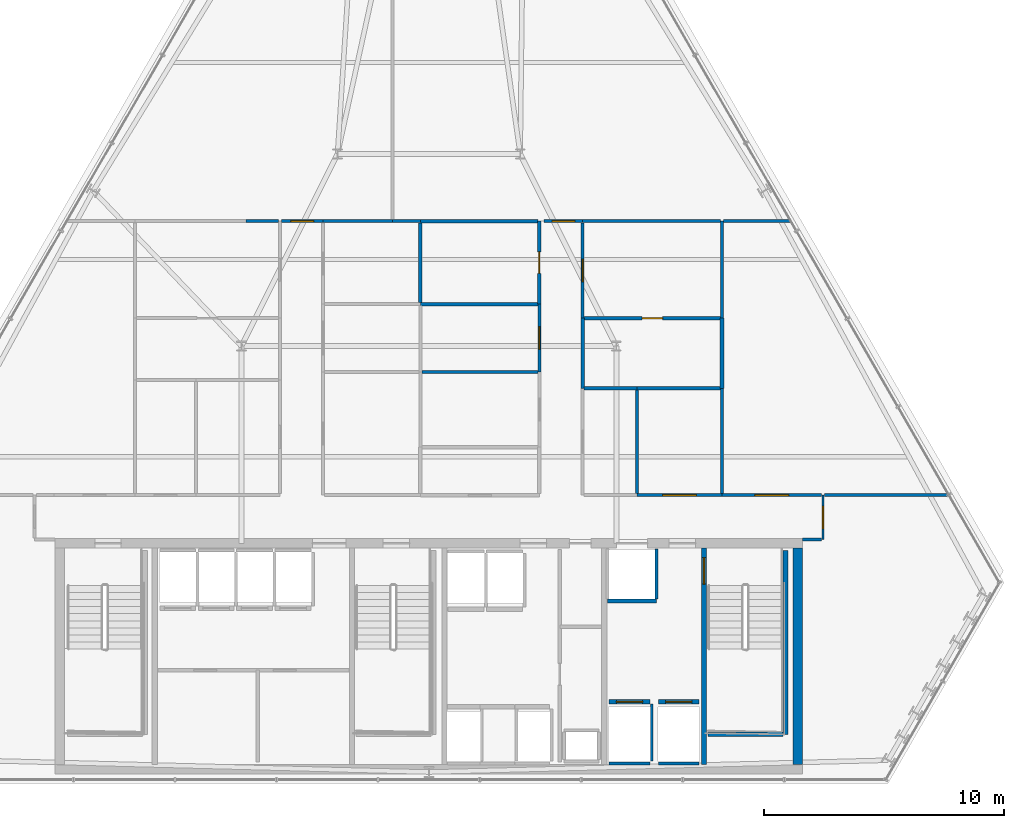
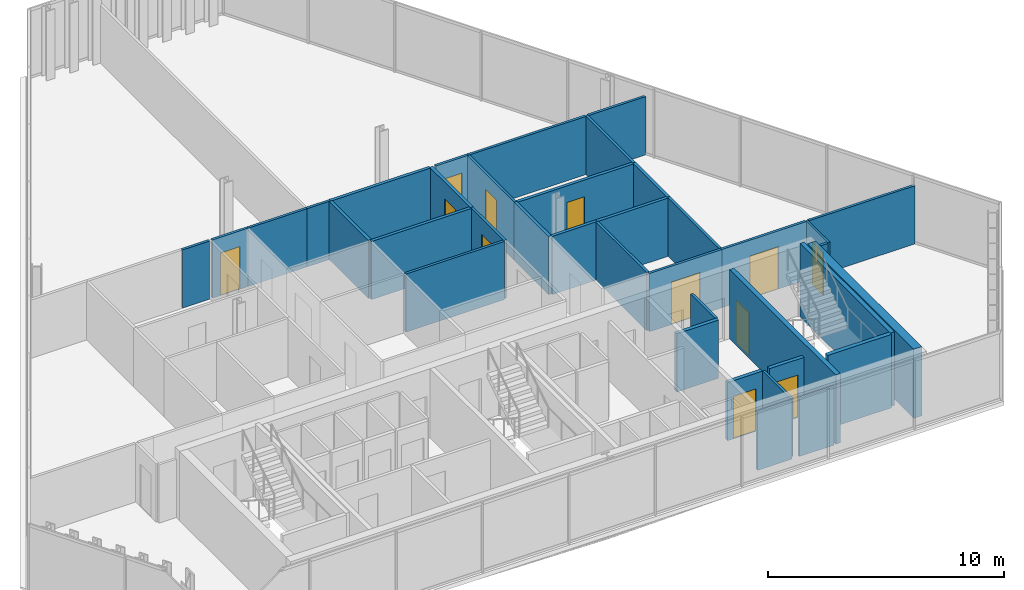
# One storey, part 29 of 33: 38 walls, 12 doors, 12 openings.
"""IFC4 building model written with IfcOpenShell, lengths in metres."""

from ifc_helpers import new_model, si_unit, direction, frame, frame_2d, origin, place, context, subcontext, project, spatial, rectangle, extrude, material, layer, layer_set, type_object, element, fill, save


model = new_model("IFC4")

# Units and contexts
model_context = context("Model", 3, precision=1e-05, world=origin(), true_north=direction((0.0, 1.0)))
body_context = subcontext(model_context, "Body", "Model", "MODEL_VIEW")
ifc_project = project(units=[si_unit("LENGTHUNIT", "METRE"), si_unit("AREAUNIT", "SQUARE_METRE"), si_unit("VOLUMEUNIT", "CUBIC_METRE"), si_unit("PLANEANGLEUNIT", "RADIAN"), si_unit("MASSUNIT", "GRAM", prefix="KILO")], contexts=[model_context])

# Site, building, storey
site_placement = place(None, origin())
site = spatial("IfcSite", under=ifc_project, at=site_placement, CompositionType="ELEMENT")
building_placement = place(site_placement, origin())
building = spatial("IfcBuilding", under=site, at=building_placement, Name="Ndaravel Arena Tower", CompositionType="ELEMENT")
storey_placement = place(building_placement, frame((0.0, 0.0, 184.0)))
storey = spatial("IfcBuildingStorey", under=building, at=storey_placement, Name="L44", CompositionType="ELEMENT", Elevation=184.0)

# Wall, opening, door
ifc_material_1 = material(Name="Concrete C50/60", Category="concrete")
ifc_layer_1 = layer(ifc_material_1, 0.219970703125)
ifc_layer_set_1 = layer_set([ifc_layer_1], Name="Concrete C50/60")
wall_type_1 = type_object("IfcWallType", Name="WALL-CORE-220", PredefinedType="SOLIDWALL", material=ifc_layer_set_1)
wall_1_placement = place(storey_placement, frame((53.449951171875, 5.800048828125, 0.0), z_axis=(0.0, 0.0, 1.0), x_axis=(0.0, 1.0, 0.0)))
wall_1 = element("IfcWall", 1, at=wall_1_placement, inside=storey, type_object=wall_type_1, Name="L44 Core Web Shear Wall 5", PredefinedType="SOLIDWALL", context=body_context, shape_type="SweptSolid", body=[
    extrude(rectangle(XDim=9.0, YDim=0.219970703125, at=frame_2d((4.5, 0.0))), origin(), (0.0, 0.0, 1.0), 3.580078125),
])
opening_1_placement = place(wall_1_placement, frame((7.5, 0.0, 0.0)))
opening_1 = element("IfcOpeningElement", 2, at=opening_1_placement, cuts=wall_1, Name="Opening FD-01", PredefinedType="OPENING", context=body_context, shape_type="SweptSolid", body=[
    extrude(rectangle(XDim=1.10009765625, YDim=2.199951171875, at=frame_2d((0.550048828125, 1.10009765625))), frame((0.0, 0.10986328125, 0.0), z_axis=(0.0, -1.0, 0.0), x_axis=(1.0, 0.0, 0.0)), (0.0, 0.0, 1.0), 0.219970703125),
])
ifc_material_2 = material(Name="Steel S355", Category="steel")
door_type_1 = type_object("IfcDoorType", Name="DT-01-STAIR-1100", OperationType="SINGLE_SWING_LEFT", PredefinedType="DOOR", material=ifc_material_2)
door_1_placement = place(opening_1_placement, origin())
door_1 = element("IfcDoor", 3, at=door_1_placement, inside=storey, type_object=door_type_1, Name="L44 Firefighting Lobby to ST-3 Door", OperationType="SINGLE_SWING_LEFT", OverallHeight=2.199951171875, OverallWidth=1.10009765625, PredefinedType="DOOR", context=body_context, shape_type="SweptSolid", body=[
    extrude(rectangle(XDim=1.10009765625, YDim=2.199951171875, at=frame_2d((0.550048828125, 1.10009765625))), frame((0.0, 0.02490234375, 0.0), z_axis=(0.0, -1.0, 0.0), x_axis=(1.0, 0.0, 0.0)), (0.0, 0.0, 1.0), 0.050048828125),
])
fill(opening_1, door_1)

# Wall
ifc_material_3 = material(Name="Concrete C50/60", Category="concrete")
ifc_layer_2 = layer(ifc_material_3, 0.39990234375)
ifc_layer_set_2 = layer_set([ifc_layer_2], Name="Concrete C50/60")
wall_type_2 = type_object("IfcWallType", Name="WALL-CORE-400", PredefinedType="SOLIDWALL", material=ifc_layer_set_2)
wall_2_placement = place(storey_placement, frame((57.35009765625, 5.800048828125, 0.0), z_axis=(0.0, 0.0, 1.0), x_axis=(0.0, 1.0, 0.0)))
element("IfcWall", 4, at=wall_2_placement, inside=storey, type_object=wall_type_2, Name="L44 Core East Shear Wall", PredefinedType="SOLIDWALL", context=body_context, shape_type="SweptSolid", body=[
    extrude(rectangle(XDim=9.0, YDim=0.39990234375, at=frame_2d((4.5, 0.0))), origin(), (0.0, 0.0, 1.0), 3.580078125),
])

# Wall, opening, door
ifc_material_4 = material(Name="Timber", Category="wood")
ifc_layer_3 = layer(ifc_material_4, 0.10009765625)
ifc_layer_set_3 = layer_set([ifc_layer_3], Name="Timber")
wall_type_3 = type_object("IfcWallType", Name="WALL-MOVABLE-100", PredefinedType="MOVABLE", material=ifc_layer_set_3)
wall_3_placement = place(storey_placement, frame((58.39990234375, 17.0, 0.0), z_axis=(0.0, 0.0, 1.0), x_axis=(0.0, -1.0, 0.0)))
wall_3 = element("IfcWall", 5, at=wall_3_placement, inside=storey, type_object=wall_type_3, Name="L44 Interior Partition 001", PredefinedType="MOVABLE", context=body_context, shape_type="SweptSolid", body=[
    extrude(rectangle(XDim=1.85009765625, YDim=0.10009765625, at=frame_2d((0.925048828125, 0.0))), origin(), (0.0, 0.0, 1.0), 3.010498046875),
])
opening_2_placement = place(wall_3_placement, frame((0.449951171875, 0.0, 0.0)))
opening_2 = element("IfcOpeningElement", 6, at=opening_2_placement, cuts=wall_3, Name="Opening ID-01", PredefinedType="OPENING", context=body_context, shape_type="SweptSolid", body=[
    extrude(rectangle(XDim=0.949951171875, YDim=2.199951171875, at=frame_2d((0.47509765625, 1.10009765625))), frame((0.0, 0.050048828125, 0.0), z_axis=(0.0, -1.0, 0.0), x_axis=(1.0, 0.0, 0.0)), (0.0, 0.0, 1.0), 0.10009765625),
])
ifc_material_5 = material(Name="Timber", Category="wood")
door_type_2 = type_object("IfcDoorType", Name="DT-03-OFFICE-950", OperationType="SINGLE_SWING_LEFT", PredefinedType="DOOR", material=ifc_material_5)
door_2_placement = place(opening_2_placement, origin())
door_2 = element("IfcDoor", 7, at=door_2_placement, inside=storey, type_object=door_type_2, Name="L44 Floor Security Control Room Door", OperationType="SINGLE_SWING_RIGHT", OverallHeight=2.199951171875, OverallWidth=0.949951171875, PredefinedType="DOOR", context=body_context, shape_type="SweptSolid", body=[
    extrude(rectangle(XDim=0.949951171875, YDim=2.199951171875, at=frame_2d((0.47509765625, 1.10009765625))), frame((0.0, 0.02490234375, 0.0), z_axis=(0.0, -1.0, 0.0), x_axis=(1.0, 0.0, 0.0)), (0.0, 0.0, 1.0), 0.050048828125),
])
fill(opening_2, door_2)

# Wall
ifc_material_6 = material(Name="Gypsum", Category="gypsum")
ifc_layer_4 = layer(ifc_material_6, 0.125)
ifc_layer_set_4 = layer_set([ifc_layer_4], Name="Gypsum")
wall_type_4 = type_object("IfcWallType", Name="WALL-PART-125", PredefinedType="PARTITIONING", material=ifc_layer_set_4)
wall_4_placement = place(storey_placement, frame((58.3349609375, 15.14990234375, 0.0), z_axis=(0.0, 0.0, 1.0), x_axis=(-1.0, 0.0, 0.0)))
element("IfcWall", 8, at=wall_4_placement, inside=storey, type_object=wall_type_4, Name="L44 Interior Partition 002", PredefinedType="PARTITIONING", context=body_context, shape_type="SweptSolid", body=[
    extrude(rectangle(XDim=0.784912109375, YDim=0.125, at=frame_2d((0.392578125, 0.0))), origin(), (0.0, 0.0, 1.0), 3.010498046875),
])

# Wall, opening, door
wall_5_placement = place(storey_placement, frame((35.864990234375, 28.39990234375, 0.0), z_axis=(0.0, 0.0, 1.0), x_axis=(1.0, 0.0, 0.0)))
wall_5 = element("IfcWall", 9, at=wall_5_placement, inside=storey, type_object=wall_type_4, Name="L44 Interior Partition 012", PredefinedType="PARTITIONING", context=body_context, shape_type="SweptSolid", body=[
    extrude(rectangle(XDim=1.735107421875, YDim=0.125, at=frame_2d((0.86767578125, 0.0))), origin(), (0.0, 0.0, 1.0), 3.010498046875),
])
opening_3_placement = place(wall_5_placement, frame((0.392578125, 0.0, 0.0)))
opening_3 = element("IfcOpeningElement", 10, at=opening_3_placement, cuts=wall_5, Name="Opening ID-01", PredefinedType="OPENING", context=body_context, shape_type="SweptSolid", body=[
    extrude(rectangle(XDim=0.949951171875, YDim=2.199951171875, at=frame_2d((0.47509765625, 1.10009765625))), frame((0.0, 0.0625, 0.0), z_axis=(0.0, -1.0, 0.0), x_axis=(1.0, 0.0, 0.0)), (0.0, 0.0, 1.0), 0.125),
])
door_3_placement = place(opening_3_placement, origin())
door_3 = element("IfcDoor", 11, at=door_3_placement, inside=storey, type_object=door_type_2, Name="L44 Crew Support Room 8 Door", OperationType="SINGLE_SWING_RIGHT", OverallHeight=2.199951171875, OverallWidth=0.949951171875, PredefinedType="DOOR", context=body_context, shape_type="SweptSolid", body=[
    extrude(rectangle(XDim=0.949951171875, YDim=2.199951171875, at=frame_2d((0.47509765625, 1.10009765625))), frame((0.0, 0.02490234375, 0.0), z_axis=(0.0, -1.0, 0.0), x_axis=(1.0, 0.0, 0.0)), (0.0, 0.0, 1.0), 0.050048828125),
])
fill(opening_3, door_3)

wall_6_placement = place(storey_placement, frame((46.60009765625, 22.1298828125, 0.0), z_axis=(0.0, 0.0, 1.0), x_axis=(0.0, 1.0, 0.0)))
wall_6 = element("IfcWall", 12, at=wall_6_placement, inside=storey, type_object=wall_type_4, Name="L44 Interior Partition 020", PredefinedType="PARTITIONING", context=body_context, shape_type="SweptSolid", body=[
    extrude(rectangle(XDim=2.821533203125, YDim=0.125, at=frame_2d((1.41064453125, 0.0))), origin(), (0.0, 0.0, 1.0), 3.010498046875),
])
opening_4_placement = place(wall_6_placement, frame((0.935791015625, 0.0, 0.0)))
opening_4 = element("IfcOpeningElement", 13, at=opening_4_placement, cuts=wall_6, Name="Opening ID-01", PredefinedType="OPENING", context=body_context, shape_type="SweptSolid", body=[
    extrude(rectangle(XDim=0.949951171875, YDim=2.199951171875, at=frame_2d((0.47509765625, 1.10009765625))), frame((0.0, 0.0625, 0.0), z_axis=(0.0, -1.0, 0.0), x_axis=(1.0, 0.0, 0.0)), (0.0, 0.0, 1.0), 0.125),
])
door_4_placement = place(opening_4_placement, origin())
door_4 = element("IfcDoor", 14, at=door_4_placement, inside=storey, type_object=door_type_2, Name="L44 Tenant Mail & Post Room 6 Door", OperationType="SINGLE_SWING_LEFT", OverallHeight=2.199951171875, OverallWidth=0.949951171875, PredefinedType="DOOR", context=body_context, shape_type="SweptSolid", body=[
    extrude(rectangle(XDim=0.949951171875, YDim=2.199951171875, at=frame_2d((0.47509765625, 1.10009765625))), frame((0.0, 0.02490234375, 0.0), z_axis=(0.0, -1.0, 0.0), x_axis=(1.0, 0.0, 0.0)), (0.0, 0.0, 1.0), 0.050048828125),
])
fill(opening_4, door_4)

wall_7_placement = place(storey_placement, frame((46.800048828125, 28.39990234375, 0.0), z_axis=(0.0, 0.0, 1.0), x_axis=(1.0, 0.0, 0.0)))
wall_7 = element("IfcWall", 15, at=wall_7_placement, inside=storey, type_object=wall_type_4, Name="L44 Interior Partition 022", PredefinedType="PARTITIONING", context=body_context, shape_type="SweptSolid", body=[
    extrude(rectangle(XDim=1.599853515625, YDim=0.125, at=frame_2d((0.7998046875, 0.0))), origin(), (0.0, 0.0, 1.0), 3.010498046875),
])
opening_5_placement = place(wall_7_placement, frame((0.324951171875, 0.0, 0.0)))
opening_5 = element("IfcOpeningElement", 16, at=opening_5_placement, cuts=wall_7, Name="Opening ID-01", PredefinedType="OPENING", context=body_context, shape_type="SweptSolid", body=[
    extrude(rectangle(XDim=0.949951171875, YDim=2.199951171875, at=frame_2d((0.47509765625, 1.10009765625))), frame((0.0, 0.0625, 0.0), z_axis=(0.0, -1.0, 0.0), x_axis=(1.0, 0.0, 0.0)), (0.0, 0.0, 1.0), 0.125),
])
door_5_placement = place(opening_5_placement, origin())
door_5 = element("IfcDoor", 17, at=door_5_placement, inside=storey, type_object=door_type_2, Name="L44 Executive Boardroom 9 Door", OperationType="SINGLE_SWING_LEFT", OverallHeight=2.199951171875, OverallWidth=0.949951171875, PredefinedType="DOOR", context=body_context, shape_type="SweptSolid", body=[
    extrude(rectangle(XDim=0.949951171875, YDim=2.199951171875, at=frame_2d((0.47509765625, 1.10009765625))), frame((0.0, 0.02490234375, 0.0), z_axis=(0.0, -1.0, 0.0), x_axis=(1.0, 0.0, 0.0)), (0.0, 0.0, 1.0), 0.050048828125),
])
fill(opening_5, door_5)

wall_8_placement = place(storey_placement, frame((48.39990234375, 28.3349609375, 0.0), z_axis=(0.0, 0.0, 1.0), x_axis=(0.0, -1.0, 0.0)))
wall_8 = element("IfcWall", 18, at=wall_8_placement, inside=storey, type_object=wall_type_4, Name="L44 Interior Partition 023", PredefinedType="PARTITIONING", context=body_context, shape_type="SweptSolid", body=[
    extrude(rectangle(XDim=3.96826171875, YDim=0.125, at=frame_2d((1.984130859375, 0.0))), origin(), (0.0, 0.0, 1.0), 3.010498046875),
])
opening_6_placement = place(wall_8_placement, frame((1.509033203125, 0.0, 0.0)))
opening_6 = element("IfcOpeningElement", 19, at=opening_6_placement, cuts=wall_8, Name="Opening ID-01", PredefinedType="OPENING", context=body_context, shape_type="SweptSolid", body=[
    extrude(rectangle(XDim=0.949951171875, YDim=2.199951171875, at=frame_2d((0.47509765625, 1.10009765625))), frame((0.0, 0.0625, 0.0), z_axis=(0.0, -1.0, 0.0), x_axis=(1.0, 0.0, 0.0)), (0.0, 0.0, 1.0), 0.125),
])
door_6_placement = place(opening_6_placement, origin())
door_6 = element("IfcDoor", 20, at=door_6_placement, inside=storey, type_object=door_type_2, Name="L44 Facilities Operations Room 7 Door", OperationType="SINGLE_SWING_LEFT", OverallHeight=2.199951171875, OverallWidth=0.949951171875, PredefinedType="DOOR", context=body_context, shape_type="SweptSolid", body=[
    extrude(rectangle(XDim=0.949951171875, YDim=2.199951171875, at=frame_2d((0.47509765625, 1.10009765625))), frame((0.0, 0.02490234375, 0.0), z_axis=(0.0, -1.0, 0.0), x_axis=(1.0, 0.0, 0.0)), (0.0, 0.0, 1.0), 0.050048828125),
])
fill(opening_6, door_6)

wall_9_placement = place(storey_placement, frame((50.662109375, 17.0, 0.0), z_axis=(0.0, 0.0, 1.0), x_axis=(1.0, 0.0, 0.0)))
wall_9 = element("IfcWall", 21, at=wall_9_placement, inside=storey, type_object=wall_type_4, Name="L44 Interior Partition 027", PredefinedType="PARTITIONING", context=body_context, shape_type="SweptSolid", body=[
    extrude(rectangle(XDim=3.537841796875, YDim=0.125, at=frame_2d((1.76904296875, 0.0))), origin(), (0.0, 0.0, 1.0), 3.010498046875),
])
opening_7_placement = place(wall_9_placement, frame((1.069091796875, 0.0, 0.0)))
opening_7 = element("IfcOpeningElement", 22, at=opening_7_placement, cuts=wall_9, Name="Opening ID-02", PredefinedType="OPENING", context=body_context, shape_type="SweptSolid", body=[
    extrude(rectangle(XDim=1.39990234375, YDim=2.199951171875, at=frame_2d((0.699951171875, 1.10009765625))), frame((0.0, 0.0625, 0.0), z_axis=(0.0, -1.0, 0.0), x_axis=(1.0, 0.0, 0.0)), (0.0, 0.0, 1.0), 0.125),
])
ifc_material_7 = material(Name="Timber", Category="wood")
door_type_3 = type_object("IfcDoorType", Name="DT-04-SUITE-1400", OperationType="DOUBLE_DOOR_SINGLE_SWING", PredefinedType="DOOR", material=ifc_material_7)
door_7_placement = place(opening_7_placement, origin())
door_7 = element("IfcDoor", 23, at=door_7_placement, inside=storey, type_object=door_type_3, Name="L44 Client Conference Room 2 Door", OperationType="SINGLE_SWING_LEFT", OverallHeight=2.199951171875, OverallWidth=1.39990234375, PredefinedType="DOOR", context=body_context, shape_type="SweptSolid", body=[
    extrude(rectangle(XDim=1.39990234375, YDim=2.199951171875, at=frame_2d((0.699951171875, 1.10009765625))), frame((0.0, 0.02490234375, 0.0), z_axis=(0.0, -1.0, 0.0), x_axis=(1.0, 0.0, 0.0)), (0.0, 0.0, 1.0), 0.050048828125),
])
fill(opening_7, door_7)

wall_10_placement = place(storey_placement, frame((54.199951171875, 17.0, 0.0), z_axis=(0.0, 0.0, 1.0), x_axis=(1.0, 0.0, 0.0)))
wall_10 = element("IfcWall", 24, at=wall_10_placement, inside=storey, type_object=wall_type_4, Name="L44 Interior Partition 028", PredefinedType="PARTITIONING", context=body_context, shape_type="SweptSolid", body=[
    extrude(rectangle(XDim=4.135009765625, YDim=0.125, at=frame_2d((2.0673828125, 0.0))), origin(), (0.0, 0.0, 1.0), 3.010498046875),
])
opening_8_placement = place(wall_10_placement, frame((1.367431640625, 0.0, 0.0)))
opening_8 = element("IfcOpeningElement", 25, at=opening_8_placement, cuts=wall_10, Name="Opening ID-02", PredefinedType="OPENING", context=body_context, shape_type="SweptSolid", body=[
    extrude(rectangle(XDim=1.39990234375, YDim=2.199951171875, at=frame_2d((0.699951171875, 1.10009765625))), frame((0.0, 0.0625, 0.0), z_axis=(0.0, -1.0, 0.0), x_axis=(1.0, 0.0, 0.0)), (0.0, 0.0, 1.0), 0.125),
])
door_8_placement = place(opening_8_placement, origin())
door_8 = element("IfcDoor", 26, at=door_8_placement, inside=storey, type_object=door_type_3, Name="L44 Executive Boardroom 5 Door", OperationType="SINGLE_SWING_LEFT", OverallHeight=2.199951171875, OverallWidth=1.39990234375, PredefinedType="DOOR", context=body_context, shape_type="SweptSolid", body=[
    extrude(rectangle(XDim=1.39990234375, YDim=2.199951171875, at=frame_2d((0.699951171875, 1.10009765625))), frame((0.0, 0.02490234375, 0.0), z_axis=(0.0, -1.0, 0.0), x_axis=(1.0, 0.0, 0.0)), (0.0, 0.0, 1.0), 0.050048828125),
])
fill(opening_8, door_8)

# Walls
wall_11_placement = place(storey_placement, frame((58.465087890625, 17.0, 0.0), z_axis=(0.0, 0.0, 1.0), x_axis=(1.0, 0.0, 0.0)))
element("IfcWall", 27, at=wall_11_placement, inside=storey, type_object=wall_type_4, Name="L44 Interior Partition 030", PredefinedType="PARTITIONING", context=body_context, shape_type="SweptSolid", body=[
    extrude(rectangle(XDim=5.180908203125, YDim=0.125, at=frame_2d((2.59033203125, 0.0))), origin(), (0.0, 0.0, 1.0), 3.010498046875),
])
wall_12_placement = place(storey_placement, frame((50.662109375, 21.381103515625, 0.0), z_axis=(0.0, 0.0, 1.0), x_axis=(0.0, -1.0, 0.0)))
element("IfcWall", 28, at=wall_12_placement, inside=storey, type_object=wall_type_4, Name="L44 Interior Partition 034", PredefinedType="PARTITIONING", context=body_context, shape_type="SweptSolid", body=[
    extrude(rectangle(XDim=4.316162109375, YDim=0.125, at=frame_2d((2.158203125, 0.0))), origin(), (0.0, 0.0, 1.0), 3.010498046875),
])
wall_13_placement = place(storey_placement, frame((54.199951171875, 21.446044921875, 0.0), z_axis=(0.0, 0.0, 1.0), x_axis=(0.0, -1.0, 0.0)))
element("IfcWall", 29, at=wall_13_placement, inside=storey, type_object=wall_type_4, Name="L44 Interior Partition 035", PredefinedType="PARTITIONING", context=body_context, shape_type="SweptSolid", body=[
    extrude(rectangle(XDim=4.381103515625, YDim=0.125, at=frame_2d((2.1904296875, 0.0))), origin(), (0.0, 0.0, 1.0), 3.010498046875),
])
wall_14_placement = place(storey_placement, frame((41.715087890625, 22.1298828125, 0.0), z_axis=(0.0, 0.0, 1.0), x_axis=(1.0, 0.0, 0.0)))
element("IfcWall", 30, at=wall_14_placement, inside=storey, type_object=wall_type_4, Name="L44 Interior Partition 043", PredefinedType="PARTITIONING", context=body_context, shape_type="SweptSolid", body=[
    extrude(rectangle(XDim=4.81982421875, YDim=0.125, at=frame_2d((2.409912109375, 0.0))), origin(), (0.0, 0.0, 1.0), 3.010498046875),
])
wall_15_placement = place(storey_placement, frame((54.199951171875, 24.36669921875, 0.0), z_axis=(0.0, 0.0, 1.0), x_axis=(0.0, 1.0, 0.0)))
element("IfcWall", 31, at=wall_15_placement, inside=storey, type_object=wall_type_4, Name="L44 Interior Partition 048", PredefinedType="PARTITIONING", context=body_context, shape_type="SweptSolid", body=[
    extrude(rectangle(XDim=4.033203125, YDim=0.125, at=frame_2d((2.0166015625, 0.0))), origin(), (0.0, 0.0, 1.0), 3.010498046875),
])
wall_16_placement = place(storey_placement, frame((54.264892578125, 28.39990234375, 0.0), z_axis=(0.0, 0.0, 1.0), x_axis=(1.0, 0.0, 0.0)))
element("IfcWall", 32, at=wall_16_placement, inside=storey, type_object=wall_type_4, Name="L44 Interior Partition 049", PredefinedType="PARTITIONING", context=body_context, shape_type="SweptSolid", body=[
    extrude(rectangle(XDim=2.79931640625, YDim=0.125, at=frame_2d((1.399658203125, 0.0))), origin(), (0.0, 0.0, 1.0), 3.010498046875),
])
wall_17_placement = place(storey_placement, frame((34.39990234375, 28.39990234375, 0.0), z_axis=(0.0, 0.0, 1.0), x_axis=(1.0, 0.0, 0.0)))
element("IfcWall", 33, at=wall_17_placement, inside=storey, type_object=wall_type_4, Name="L44 Interior Partition 056", PredefinedType="PARTITIONING", context=body_context, shape_type="SweptSolid", body=[
    extrude(rectangle(XDim=1.335205078125, YDim=0.125, at=frame_2d((0.66748046875, 0.0))), origin(), (0.0, 0.0, 1.0), 3.010498046875),
])
wall_18_placement = place(storey_placement, frame((48.39990234375, 28.39990234375, 0.0), z_axis=(0.0, 0.0, 1.0), x_axis=(1.0, 0.0, 0.0)))
element("IfcWall", 34, at=wall_18_placement, inside=storey, type_object=wall_type_4, Name="L44 Interior Partition 057", PredefinedType="PARTITIONING", context=body_context, shape_type="SweptSolid", body=[
    extrude(rectangle(XDim=5.735107421875, YDim=0.125, at=frame_2d((2.86767578125, 0.0))), origin(), (0.0, 0.0, 1.0), 3.010498046875),
])
wall_19_placement = place(storey_placement, frame((37.60009765625, 28.39990234375, 0.0), z_axis=(0.0, 0.0, 1.0), x_axis=(1.0, 0.0, 0.0)))
element("IfcWall", 35, at=wall_19_placement, inside=storey, type_object=wall_type_4, Name="L44 Interior Partition 058", PredefinedType="PARTITIONING", context=body_context, shape_type="SweptSolid", body=[
    extrude(rectangle(XDim=2.8935546875, YDim=0.125, at=frame_2d((1.44677734375, 0.0))), origin(), (0.0, 0.0, 1.0), 3.010498046875),
])
wall_20_placement = place(storey_placement, frame((40.49365234375, 28.39990234375, 0.0), z_axis=(0.0, 0.0, 1.0), x_axis=(1.0, 0.0, 0.0)))
element("IfcWall", 36, at=wall_20_placement, inside=storey, type_object=wall_type_4, Name="L44 Interior Partition 059", PredefinedType="PARTITIONING", context=body_context, shape_type="SweptSolid", body=[
    extrude(rectangle(XDim=1.15625, YDim=0.125, at=frame_2d((0.578125, 0.0))), origin(), (0.0, 0.0, 1.0), 3.010498046875),
])
ifc_material_8 = material(Name="Concrete C40/50", Category="concrete")
ifc_layer_5 = layer(ifc_material_8, 0.1201171875)
ifc_layer_set_5 = layer_set([ifc_layer_5], Name="Concrete C40/50")
wall_type_5 = type_object("IfcWallType", Name="WALL-SHAFT-120", PredefinedType="SOLIDWALL", material=ifc_layer_set_5)
wall_21_placement = place(storey_placement, frame((49.5048828125, 5.840087890625, 0.0), z_axis=(0.0, 0.0, 1.0), x_axis=(1.0, 0.0, 0.0)))
element("IfcWall", 37, at=wall_21_placement, inside=storey, type_object=wall_type_5, Name="L44 FFL-1 Shaft Rear Wall", PredefinedType="SOLIDWALL", context=body_context, shape_type="SweptSolid", body=[
    extrude(rectangle(XDim=1.690185546875, YDim=0.1201171875, at=frame_2d((0.84521484375, 0.0))), origin(), (0.0, 0.0, 1.0), 3.010498046875),
])
wall_22_placement = place(storey_placement, frame((51.27490234375, 5.929931640625, 0.0), z_axis=(0.0, 0.0, 1.0), x_axis=(0.0, 1.0, 0.0)))
element("IfcWall", 38, at=wall_22_placement, inside=storey, type_object=wall_type_5, Name="L44 FFL-1 Shaft Side R Wall", PredefinedType="SOLIDWALL", context=body_context, shape_type="SweptSolid", body=[
    extrude(rectangle(XDim=2.380126953125, YDim=0.1201171875, at=frame_2d((1.18994140625, 0.0))), origin(), (0.0, 0.0, 1.0), 3.010498046875),
])
wall_23_placement = place(storey_placement, frame((51.554931640625, 5.840087890625, 0.0), z_axis=(0.0, 0.0, 1.0), x_axis=(1.0, 0.0, 0.0)))
element("IfcWall", 39, at=wall_23_placement, inside=storey, type_object=wall_type_5, Name="L44 FFL-2 Shaft Rear Wall", PredefinedType="SOLIDWALL", context=body_context, shape_type="SweptSolid", body=[
    extrude(rectangle(XDim=1.690185546875, YDim=0.1201171875, at=frame_2d((0.84521484375, 0.0))), origin(), (0.0, 0.0, 1.0), 3.010498046875),
])
wall_24_placement = place(storey_placement, frame((51.47998046875, 12.68994140625, 0.0), z_axis=(0.0, 0.0, 1.0), x_axis=(0.0, 1.0, 0.0)))
element("IfcWall", 40, at=wall_24_placement, inside=storey, type_object=wall_type_5, Name="L44 SVL-1 Shaft E Wall", PredefinedType="SOLIDWALL", context=body_context, shape_type="SweptSolid", body=[
    extrude(rectangle(XDim=2.070068359375, YDim=0.1201171875, at=frame_2d((1.03515625, 0.0))), origin(), (0.0, 0.0, 1.0), 3.010498046875),
])
ifc_material_9 = material(Name="Concrete C40/50", Category="concrete")
ifc_layer_6 = layer(ifc_material_9, 0.199951171875)
ifc_layer_set_6 = layer_set([ifc_layer_6], Name="Concrete C40/50")
wall_type_6 = type_object("IfcWallType", Name="WALL-SHAFT-200", PredefinedType="SOLIDWALL", material=ifc_layer_set_6)
wall_25_placement = place(storey_placement, frame((56.840087890625, 14.699951171875, 0.0), z_axis=(0.0, 0.0, 1.0), x_axis=(0.0, -1.0, 0.0)))
element("IfcWall", 41, at=wall_25_placement, inside=storey, type_object=wall_type_6, Name="L44 ST-3 Structural Shaft Wall Right", PredefinedType="SOLIDWALL", context=body_context, shape_type="SweptSolid", body=[
    extrude(rectangle(XDim=7.64990234375, YDim=0.199951171875, at=frame_2d((3.824951171875, 0.0))), origin(), (0.0, 0.0, 1.0), 3.800048828125),
])
wall_26_placement = place(storey_placement, frame((53.6201171875, 7.050048828125, 0.0), z_axis=(0.0, 0.0, 1.0), x_axis=(1.0, 0.0, 0.0)))
element("IfcWall", 42, at=wall_26_placement, inside=storey, type_object=wall_type_6, Name="L44 ST-3 Structural Shaft Wall Far", PredefinedType="SOLIDWALL", context=body_context, shape_type="SweptSolid", body=[
    extrude(rectangle(XDim=3.114990234375, YDim=0.199951171875, at=frame_2d((1.5576171875, 0.0))), origin(), (0.0, 0.0, 1.0), 3.800048828125),
])

# Wall, opening, door
wall_27_placement = place(storey_placement, frame((49.5048828125, 8.39990234375, 0.0), z_axis=(0.0, 0.0, 1.0), x_axis=(1.0, 0.0, 0.0)))
wall_27 = element("IfcWall", 43, at=wall_27_placement, inside=storey, type_object=wall_type_6, Name="L44 FFL-1 Shaft Landing Wall", PredefinedType="SOLIDWALL", context=body_context, shape_type="SweptSolid", body=[
    extrude(rectangle(XDim=1.690185546875, YDim=0.179931640625, at=frame_2d((0.84521484375, 0.0))), origin(), (0.0, 0.0, 1.0), 3.010498046875),
])
opening_9_placement = place(wall_27_placement, frame((0.294921875, 0.0, 0.0)))
opening_9 = element("IfcOpeningElement", 44, at=opening_9_placement, cuts=wall_27, Name="Opening LD-01", PredefinedType="OPENING", context=body_context, shape_type="SweptSolid", body=[
    extrude(rectangle(XDim=1.10009765625, YDim=2.199951171875, at=frame_2d((0.550048828125, 1.10009765625))), frame((0.0, 0.08984375, 0.0), z_axis=(0.0, -1.0, 0.0), x_axis=(1.0, 0.0, 0.0)), (0.0, 0.0, 1.0), 0.179931640625),
])
ifc_material_10 = material(Name="Steel S355", Category="steel")
door_type_4 = type_object("IfcDoorType", Name="DT-06-LIFT-1100", OperationType="SLIDING_TO_LEFT", PredefinedType="DOOR", material=ifc_material_10)
door_9_placement = place(opening_9_placement, origin())
door_9 = element("IfcDoor", 45, at=door_9_placement, inside=storey, type_object=door_type_4, Name="L44 Lift FFL-1 Sliding Landing Door", OperationType="SLIDING_TO_LEFT", OverallHeight=2.199951171875, OverallWidth=1.10009765625, PredefinedType="DOOR", context=body_context, shape_type="SweptSolid", body=[
    extrude(rectangle(XDim=1.10009765625, YDim=2.199951171875, at=frame_2d((0.550048828125, 1.10009765625))), frame((0.0, 0.02490234375, 0.0), z_axis=(0.0, -1.0, 0.0), x_axis=(1.0, 0.0, 0.0)), (0.0, 0.0, 1.0), 0.050048828125),
])
fill(opening_9, door_9)

wall_28_placement = place(storey_placement, frame((51.554931640625, 8.39990234375, 0.0), z_axis=(0.0, 0.0, 1.0), x_axis=(1.0, 0.0, 0.0)))
wall_28 = element("IfcWall", 46, at=wall_28_placement, inside=storey, type_object=wall_type_6, Name="L44 FFL-2 Shaft Landing Wall", PredefinedType="SOLIDWALL", context=body_context, shape_type="SweptSolid", body=[
    extrude(rectangle(XDim=1.690185546875, YDim=0.179931640625, at=frame_2d((0.84521484375, 0.0))), origin(), (0.0, 0.0, 1.0), 3.010498046875),
])
opening_10_placement = place(wall_28_placement, frame((0.294921875, 0.0, 0.0)))
opening_10 = element("IfcOpeningElement", 47, at=opening_10_placement, cuts=wall_28, Name="Opening LD-01", PredefinedType="OPENING", context=body_context, shape_type="SweptSolid", body=[
    extrude(rectangle(XDim=1.10009765625, YDim=2.199951171875, at=frame_2d((0.550048828125, 1.10009765625))), frame((0.0, 0.08984375, 0.0), z_axis=(0.0, -1.0, 0.0), x_axis=(1.0, 0.0, 0.0)), (0.0, 0.0, 1.0), 0.179931640625),
])
door_10_placement = place(opening_10_placement, origin())
door_10 = element("IfcDoor", 48, at=door_10_placement, inside=storey, type_object=door_type_4, Name="L44 Lift FFL-2 Sliding Landing Door", OperationType="SLIDING_TO_LEFT", OverallHeight=2.199951171875, OverallWidth=1.10009765625, PredefinedType="DOOR", context=body_context, shape_type="SweptSolid", body=[
    extrude(rectangle(XDim=1.10009765625, YDim=2.199951171875, at=frame_2d((0.550048828125, 1.10009765625))), frame((0.0, 0.02490234375, 0.0), z_axis=(0.0, -1.0, 0.0), x_axis=(1.0, 0.0, 0.0)), (0.0, 0.0, 1.0), 0.050048828125),
])
fill(opening_10, door_10)

# Wall
wall_29_placement = place(storey_placement, frame((49.43994140625, 12.594970703125, 0.0), z_axis=(0.0, 0.0, 1.0), x_axis=(1.0, 0.0, 0.0)))
element("IfcWall", 49, at=wall_29_placement, inside=storey, type_object=wall_type_6, Name="L44 SVL-1 Shaft South Wall", PredefinedType="SOLIDWALL", context=body_context, shape_type="SweptSolid", body=[
    extrude(rectangle(XDim=2.0400390625, YDim=0.179931640625, at=frame_2d((1.02001953125, 0.0))), origin(), (0.0, 0.0, 1.0), 3.010498046875),
])

# Wall, opening, door
ifc_material_11 = material(Name="Masonry", Category="masonry")
ifc_layer_7 = layer(ifc_material_11, 0.14990234375)
ifc_layer_set_7 = layer_set([ifc_layer_7], Name="Masonry")
wall_type_7 = type_object("IfcWallType", Name="WALL-WET-150", PredefinedType="PARTITIONING", material=ifc_layer_set_7)
wall_30_placement = place(storey_placement, frame((46.60009765625, 24.951416015625, 0.0), z_axis=(0.0, 0.0, 1.0), x_axis=(0.0, 1.0, 0.0)))
wall_30 = element("IfcWall", 50, at=wall_30_placement, inside=storey, type_object=wall_type_7, Name="L44 Interior Partition 021", PredefinedType="PARTITIONING", context=body_context, shape_type="SweptSolid", body=[
    extrude(rectangle(XDim=3.448486328125, YDim=0.14990234375, at=frame_2d((1.72412109375, 0.0))), origin(), (0.0, 0.0, 1.0), 3.010498046875),
])
opening_11_placement = place(wall_30_placement, frame((1.274169921875, 0.0, 0.0)))
opening_11 = element("IfcOpeningElement", 51, at=opening_11_placement, cuts=wall_30, Name="Opening WD-01", PredefinedType="OPENING", context=body_context, shape_type="SweptSolid", body=[
    extrude(rectangle(XDim=0.89990234375, YDim=2.14990234375, at=frame_2d((0.449951171875, 1.074951171875))), frame((0.0, 0.074951171875, 0.0), z_axis=(0.0, -1.0, 0.0), x_axis=(1.0, 0.0, 0.0)), (0.0, 0.0, 1.0), 0.14990234375),
])
ifc_material_12 = material(Name="Timber", Category="wood")
door_type_5 = type_object("IfcDoorType", Name="DT-05-WC-900", OperationType="SINGLE_SWING_LEFT", PredefinedType="DOOR", material=ifc_material_12)
door_11_placement = place(opening_11_placement, origin())
door_11 = element("IfcDoor", 52, at=door_11_placement, inside=storey, type_object=door_type_5, Name="L44 Female & Accessible Restroom Door", OperationType="SINGLE_SWING_LEFT", OverallHeight=2.14990234375, OverallWidth=0.89990234375, PredefinedType="DOOR", context=body_context, shape_type="SweptSolid", body=[
    extrude(rectangle(XDim=0.89990234375, YDim=2.14990234375, at=frame_2d((0.449951171875, 1.074951171875))), frame((0.0, 0.02490234375, 0.0), z_axis=(0.0, -1.0, 0.0), x_axis=(1.0, 0.0, 0.0)), (0.0, 0.0, 1.0), 0.050048828125),
])
fill(opening_11, door_11)

# Walls
wall_31_placement = place(storey_placement, frame((48.39990234375, 24.36669921875, 0.0), z_axis=(0.0, 0.0, 1.0), x_axis=(0.0, -1.0, 0.0)))
element("IfcWall", 53, at=wall_31_placement, inside=storey, type_object=wall_type_7, Name="L44 Interior Partition 024", PredefinedType="PARTITIONING", context=body_context, shape_type="SweptSolid", body=[
    extrude(rectangle(XDim=2.920654296875, YDim=0.14990234375, at=frame_2d((1.46044921875, 0.0))), origin(), (0.0, 0.0, 1.0), 3.010498046875),
])
wall_32_placement = place(storey_placement, frame((48.465087890625, 21.446044921875, 0.0), z_axis=(0.0, 0.0, 1.0), x_axis=(1.0, 0.0, 0.0)))
element("IfcWall", 54, at=wall_32_placement, inside=storey, type_object=wall_type_7, Name="L44 Interior Partition 033", PredefinedType="PARTITIONING", context=body_context, shape_type="SweptSolid", body=[
    extrude(rectangle(XDim=2.197021484375, YDim=0.14990234375, at=frame_2d((1.0986328125, 0.0))), origin(), (0.0, 0.0, 1.0), 3.010498046875),
])
wall_33_placement = place(storey_placement, frame((50.662109375, 21.446044921875, 0.0), z_axis=(0.0, 0.0, 1.0), x_axis=(1.0, 0.0, 0.0)))
element("IfcWall", 55, at=wall_33_placement, inside=storey, type_object=wall_type_7, Name="L44 Interior Partition 036", PredefinedType="PARTITIONING", context=body_context, shape_type="SweptSolid", body=[
    extrude(rectangle(XDim=3.472900390625, YDim=0.14990234375, at=frame_2d((1.736328125, 0.0))), origin(), (0.0, 0.0, 1.0), 3.010498046875),
])
wall_34_placement = place(storey_placement, frame((54.199951171875, 21.446044921875, 0.0), z_axis=(0.0, 0.0, 1.0), x_axis=(0.0, 1.0, 0.0)))
element("IfcWall", 56, at=wall_34_placement, inside=storey, type_object=wall_type_7, Name="L44 Interior Partition 047", PredefinedType="PARTITIONING", context=body_context, shape_type="SweptSolid", body=[
    extrude(rectangle(XDim=2.920654296875, YDim=0.14990234375, at=frame_2d((1.46044921875, 0.0))), origin(), (0.0, 0.0, 1.0), 3.010498046875),
])

# Wall, opening, door
wall_35_placement = place(storey_placement, frame((48.465087890625, 24.36669921875, 0.0), z_axis=(0.0, 0.0, 1.0), x_axis=(1.0, 0.0, 0.0)))
wall_35 = element("IfcWall", 57, at=wall_35_placement, inside=storey, type_object=wall_type_7, Name="L44 Interior Partition 050", PredefinedType="PARTITIONING", context=body_context, shape_type="SweptSolid", body=[
    extrude(rectangle(XDim=5.669921875, YDim=0.14990234375, at=frame_2d((2.8349609375, 0.0))), origin(), (0.0, 0.0, 1.0), 3.010498046875),
])
opening_12_placement = place(wall_35_placement, frame((2.409912109375, 0.0, 0.0)))
opening_12 = element("IfcOpeningElement", 58, at=opening_12_placement, cuts=wall_35, Name="Opening ID-03", PredefinedType="OPENING", context=body_context, shape_type="SweptSolid", body=[
    extrude(rectangle(XDim=0.85009765625, YDim=2.14990234375, at=frame_2d((0.425048828125, 1.074951171875))), frame((0.0, 0.074951171875, 0.0), z_axis=(0.0, -1.0, 0.0), x_axis=(1.0, 0.0, 0.0)), (0.0, 0.0, 1.0), 0.14990234375),
])
ifc_material_13 = material(Name="Timber", Category="wood")
door_type_6 = type_object("IfcDoorType", Name="DT-12-SUB-850", OperationType="SINGLE_SWING_LEFT", PredefinedType="DOOR", material=ifc_material_13)
door_12_placement = place(opening_12_placement, origin())
door_12 = element("IfcDoor", 59, at=door_12_placement, inside=storey, type_object=door_type_6, Name="L44 Male Staff & Visitor Restroom Door", OperationType="SINGLE_SWING_LEFT", OverallHeight=2.14990234375, OverallWidth=0.85009765625, PredefinedType="DOOR", context=body_context, shape_type="SweptSolid", body=[
    extrude(rectangle(XDim=0.85009765625, YDim=2.14990234375, at=frame_2d((0.425048828125, 1.074951171875))), frame((0.0, 0.02490234375, 0.0), z_axis=(0.0, -1.0, 0.0), x_axis=(1.0, 0.0, 0.0)), (0.0, 0.0, 1.0), 0.050048828125),
])
fill(opening_12, door_12)

# Walls
wall_36_placement = place(storey_placement, frame((41.64990234375, 24.951416015625, 0.0), z_axis=(0.0, 0.0, 1.0), x_axis=(1.0, 0.0, 0.0)))
element("IfcWall", 60, at=wall_36_placement, inside=storey, type_object=wall_type_7, Name="L44 Interior Partition 054", PredefinedType="PARTITIONING", context=body_context, shape_type="SweptSolid", body=[
    extrude(rectangle(XDim=4.885009765625, YDim=0.14990234375, at=frame_2d((2.4423828125, 0.0))), origin(), (0.0, 0.0, 1.0), 3.010498046875),
])
wall_37_placement = place(storey_placement, frame((41.64990234375, 28.3349609375, 0.0), z_axis=(0.0, 0.0, 1.0), x_axis=(0.0, -1.0, 0.0)))
element("IfcWall", 61, at=wall_37_placement, inside=storey, type_object=wall_type_7, Name="L44 Interior Partition 060", PredefinedType="PARTITIONING", context=body_context, shape_type="SweptSolid", body=[
    extrude(rectangle(XDim=3.318359375, YDim=0.14990234375, at=frame_2d((1.6591796875, 0.0))), origin(), (0.0, 0.0, 1.0), 3.010498046875),
])
wall_38_placement = place(storey_placement, frame((41.64990234375, 28.39990234375, 0.0), z_axis=(0.0, 0.0, 1.0), x_axis=(1.0, 0.0, 0.0)))
element("IfcWall", 62, at=wall_38_placement, inside=storey, type_object=wall_type_7, Name="L44 Interior Partition 061", PredefinedType="PARTITIONING", context=body_context, shape_type="SweptSolid", body=[
    extrude(rectangle(XDim=4.885009765625, YDim=0.14990234375, at=frame_2d((2.4423828125, 0.0))), origin(), (0.0, 0.0, 1.0), 3.010498046875),
])

save(model, "model.ifc")
